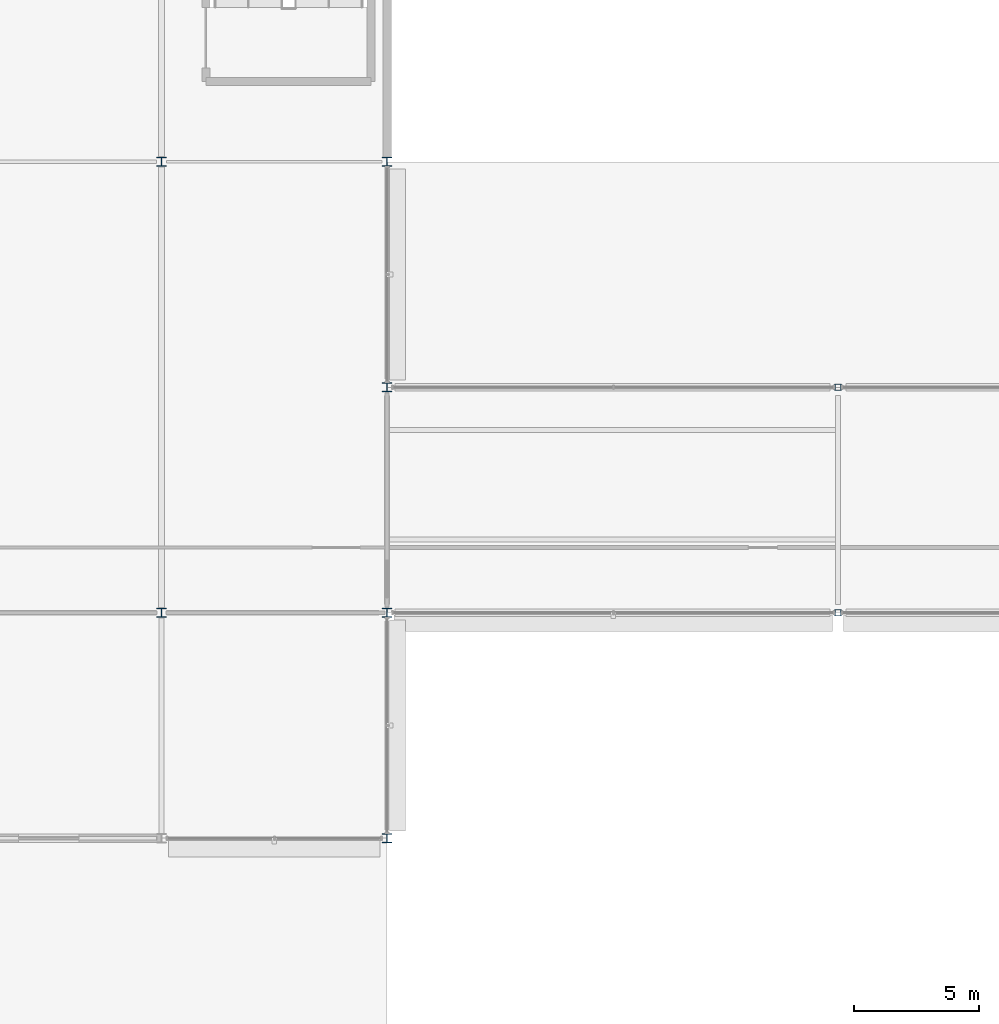
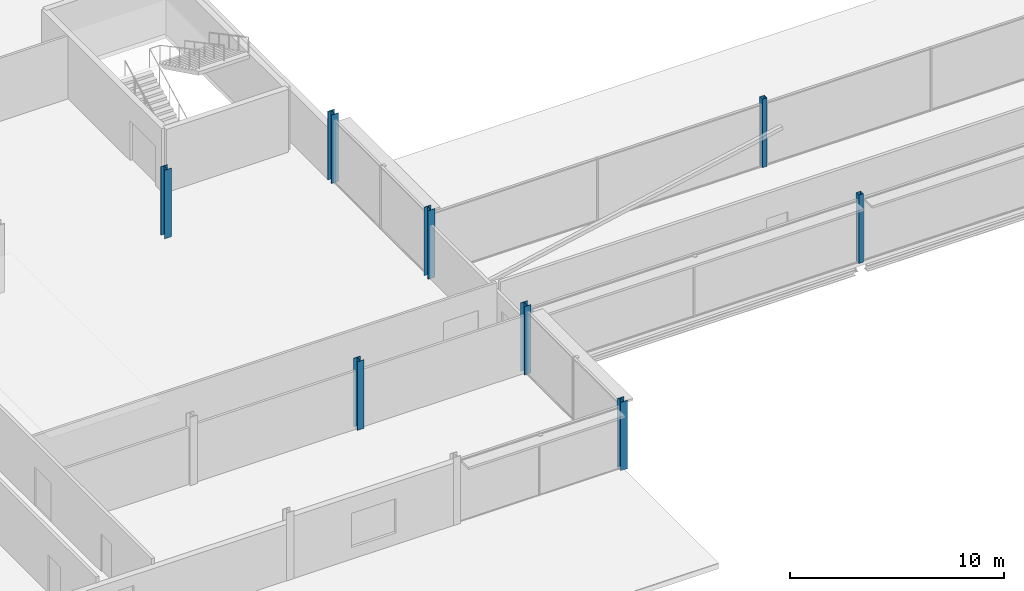
# One storey, part 2 of 105: 8 columns.
"""IFC4 building model written with IfcOpenShell, lengths in metres."""

from ifc_helpers import new_model, si_unit, direction, frame, origin, origin_2d, place, context, subcontext, project, spatial, hollow_rectangle, i_section, extrude, material, material_profile, profile_set, type_object, element, save


model = new_model("IFC4")

# Units and contexts
model_context = context("Model", 3, precision=1e-05, world=origin(), true_north=direction((0.0, 1.0)))
body_context = subcontext(model_context, "Body", "Model", "MODEL_VIEW")
ifc_project = project(units=[si_unit("LENGTHUNIT", "METRE"), si_unit("AREAUNIT", "SQUARE_METRE"), si_unit("VOLUMEUNIT", "CUBIC_METRE"), si_unit("PLANEANGLEUNIT", "RADIAN"), si_unit("MASSUNIT", "GRAM", prefix="KILO")], contexts=[model_context])

# Site, building, storey
site_placement = place(None, origin())
site = spatial("IfcSite", under=ifc_project, at=site_placement, CompositionType="ELEMENT")
building_placement = place(site_placement, origin())
building = spatial("IfcBuilding", under=site, at=building_placement, Name="Kisiwana Market Hall", CompositionType="ELEMENT")
storey_placement = place(building_placement, frame((0.0, 0.0, 21.60009765625)))
storey = spatial("IfcBuildingStorey", under=building, at=storey_placement, Name="L04", CompositionType="ELEMENT", Elevation=21.60009765625)

# Columns
ifc_material_1 = material(Name="Steel S355", Category="steel")
ifc_material_profile_1 = material_profile(ifc_material_1, hollow_rectangle(XDim=0.25, YDim=0.25, WallThickness=0.012451171875, at=origin_2d()), Name="SHS 250x250x12.5")
ifc_profile_set_1 = profile_set([ifc_material_profile_1], Name="Steel S355")
column_type_1 = type_object("IfcColumnType", Name="COL-STL-SHS250", PredefinedType="COLUMN", material=ifc_profile_set_1)
for number, where, z_axis, x_axis, name in (
    (1, (63.0, 18.0, 0.0), (0.0, 0.0, 1.0), (1.0, 0.0, 0.0), "Column C/8 (L04) C-0823"),
    (2, (63.0, 27.0, 0.0), (0.0, 0.0, 1.0), (1.0, 0.0, 0.0), "Column D/8 (L04) C-0824"),
):
    element("IfcColumn", number, at=place(storey_placement, frame(where, z_axis=z_axis, x_axis=x_axis)), inside=storey, type_object=column_type_1, Name=name, PredefinedType="COLUMN", context=body_context, shape_type="SweptSolid", body=[
        extrude(hollow_rectangle(XDim=0.25, YDim=0.25, WallThickness=0.012451171875, at=origin_2d()), origin(), (0.0, 0.0, 1.0), 3.89990234375),
    ])
ifc_material_2 = material(Name="Steel S355", Category="steel")
ifc_material_profile_2 = material_profile(ifc_material_2, i_section(OverallWidth=0.37255859375, OverallDepth=0.3681640625, WebThickness=0.014404296875, FlangeThickness=0.023681640625, FilletRadius=0.01513671875, at=origin_2d()), Name="UC 356x368x177")
ifc_profile_set_2 = profile_set([ifc_material_profile_2], Name="Steel S355")
column_type_2 = type_object("IfcColumnType", Name="COL-STL-UC177", PredefinedType="COLUMN", material=ifc_profile_set_2)
for number, where, z_axis, x_axis, name in (
    (3, (36.0, 18.0, 0.0), (0.0, 0.0, 1.0), (1.0, 0.0, 0.0), "Column C/5 (L04) C-0809"),
    (4, (36.0, 36.0, 0.0), (0.0, 0.0, 1.0), (1.0, 0.0, 0.0), "Column E/5 (L04) C-0810"),
    (5, (45.0, 9.0, 0.0), (0.0, 0.0, 1.0), (1.0, 0.0, 0.0), "Column B/6 (L04) C-0814"),
    (6, (45.0, 18.0, 0.0), (0.0, 0.0, 1.0), (1.0, 0.0, 0.0), "Column C/6 (L04) C-0815"),
    (7, (45.0, 27.0, 0.0), (0.0, 0.0, 1.0), (1.0, 0.0, 0.0), "Column D/6 (L04) C-0816"),
    (8, (45.0, 36.0, 0.0), (0.0, 0.0, 1.0), (1.0, 0.0, 0.0), "Column E/6 (L04) C-0817"),
):
    element("IfcColumn", number, at=place(storey_placement, frame(where, z_axis=z_axis, x_axis=x_axis)), inside=storey, type_object=column_type_2, Name=name, PredefinedType="COLUMN", context=body_context, shape_type="SweptSolid", body=[
        extrude(i_section(OverallWidth=0.37255859375, OverallDepth=0.3681640625, WebThickness=0.014404296875, FlangeThickness=0.023681640625, FilletRadius=0.01513671875, at=origin_2d()), origin(), (0.0, 0.0, 1.0), 3.89990234375),
    ])

save(model, "model.ifc")
